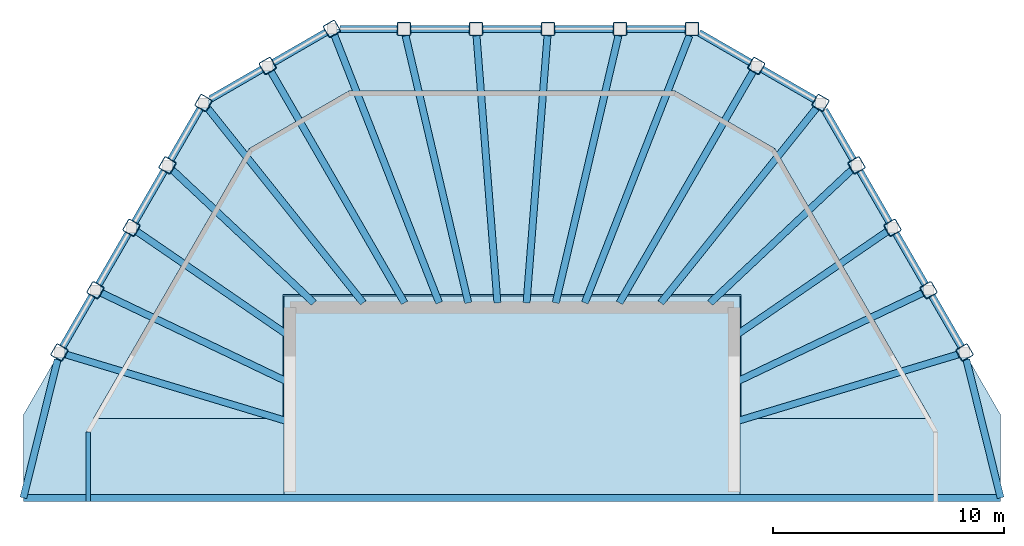
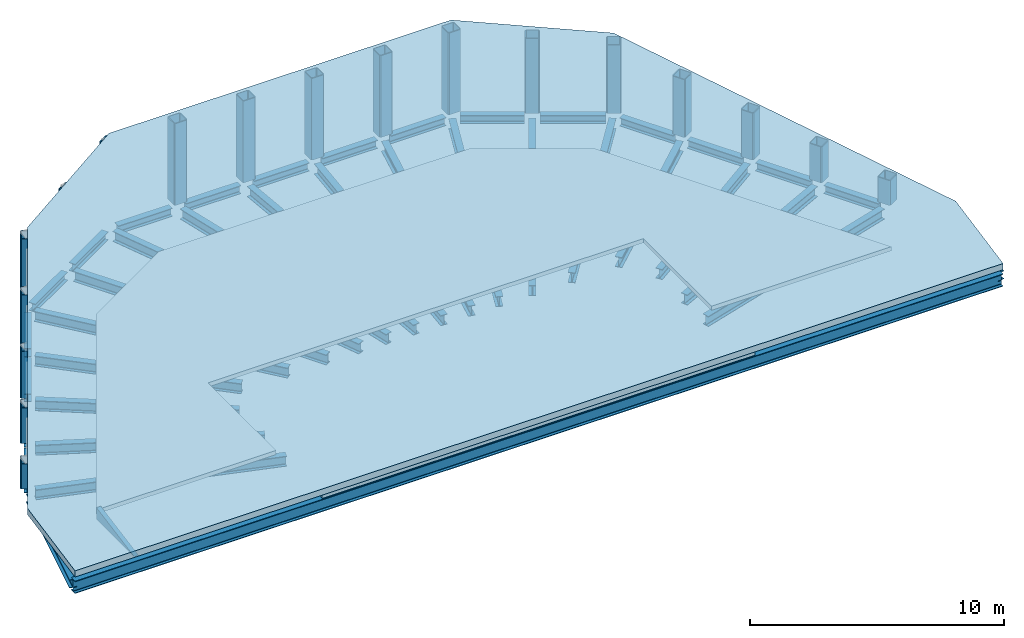
# One storey, part 1 of 3: 38 beams, 18 columns, 3 slabs, 1 wall.
"""IFC4 building model written with IfcOpenShell, lengths in metres."""

from ifc_helpers import new_model, si_unit, direction, frame, origin, origin_2d, place, context, subcontext, project, spatial, polyline, hollow_rectangle, i_section, outline, extrude, material, layer, layer_set, material_profile, profile_set, type_object, element, save


model = new_model("IFC4")

# Units and contexts
model_context = context("Model", 3, precision=1e-05, world=origin(), true_north=direction((0.0, 1.0)))
body_context = subcontext(model_context, "Body", "Model", "MODEL_VIEW")
ifc_project = project(units=[si_unit("LENGTHUNIT", "METRE"), si_unit("AREAUNIT", "SQUARE_METRE"), si_unit("VOLUMEUNIT", "CUBIC_METRE"), si_unit("PLANEANGLEUNIT", "RADIAN"), si_unit("MASSUNIT", "GRAM", prefix="KILO")], contexts=[model_context])

# Site, building, storey
site_placement = place(None, origin())
site = spatial("IfcSite", under=ifc_project, at=site_placement, CompositionType="ELEMENT")
building_placement = place(site_placement, origin())
building = spatial("IfcBuilding", under=site, at=building_placement, Name="Frailejon Research Tower", CompositionType="ELEMENT")
storey_placement = place(building_placement, frame((0.0, 0.0, 368.60009765625)))
storey = spatial("IfcBuildingStorey", under=building, at=storey_placement, Name="L83", CompositionType="ELEMENT", Elevation=368.60009765625)

# Columns
ifc_material_1 = material(Name="Steel S355", Category="steel")
ifc_material_profile_1 = material_profile(ifc_material_1, hollow_rectangle(XDim=0.60009765625, YDim=0.60009765625, WallThickness=0.0400390625, InnerFilletRadius=0.0400390625, OuterFilletRadius=0.080078125, at=origin_2d()), Name="Crown column")
ifc_profile_set_1 = profile_set([ifc_material_profile_1], Name="Steel S355")
column_type = type_object("IfcColumnType", Name="Crown column", PredefinedType="COLUMN", material=ifc_profile_set_1)
column_1_placement = place(storey_placement, frame((19.570068359375, 5.903564453125, 0.0), z_axis=(0.0, 0.0, 1.0), x_axis=(-0.5, 0.866025403784, 0.0)))
element("IfcColumn", 1, at=column_1_placement, inside=storey, type_object=column_type, Name="Column C04", PredefinedType="COLUMN", context=body_context, shape_type="SweptSolid", body=[
    extrude(hollow_rectangle(XDim=0.60009765625, YDim=0.60009765625, WallThickness=0.0400390625, InnerFilletRadius=0.0400390625, OuterFilletRadius=0.080078125, at=origin_2d()), origin(), (0.0, 0.0, 1.0), 1.20068359375),
])
column_2_placement = place(storey_placement, frame((18.0126953125, 8.601318359375, 0.0), z_axis=(0.0, 0.0, 1.0), x_axis=(-0.5, 0.866025403784, 0.0)))
element("IfcColumn", 2, at=column_2_placement, inside=storey, type_object=column_type, Name="Column C05", PredefinedType="COLUMN", context=body_context, shape_type="SweptSolid", body=[
    extrude(hollow_rectangle(XDim=0.60009765625, YDim=0.60009765625, WallThickness=0.0400390625, InnerFilletRadius=0.0400390625, OuterFilletRadius=0.080078125, at=origin_2d()), origin(), (0.0, 0.0, 1.0), 1.72900390625),
])
column_3_placement = place(storey_placement, frame((16.455078125, 11.298828125, 0.0), z_axis=(0.0, 0.0, 1.0), x_axis=(-0.5, 0.866025403784, 0.0)))
element("IfcColumn", 3, at=column_3_placement, inside=storey, type_object=column_type, Name="Column C06", PredefinedType="COLUMN", context=body_context, shape_type="SweptSolid", body=[
    extrude(hollow_rectangle(XDim=0.60009765625, YDim=0.60009765625, WallThickness=0.0400390625, InnerFilletRadius=0.0400390625, OuterFilletRadius=0.080078125, at=origin_2d()), origin(), (0.0, 0.0, 1.0), 2.257080078125),
])
column_4_placement = place(storey_placement, frame((14.897705078125, 13.996337890625, 0.0), z_axis=(0.0, 0.0, 1.0), x_axis=(-0.5, 0.866025403784, 0.0)))
element("IfcColumn", 4, at=column_4_placement, inside=storey, type_object=column_type, Name="Column C07", PredefinedType="COLUMN", context=body_context, shape_type="SweptSolid", body=[
    extrude(hollow_rectangle(XDim=0.60009765625, YDim=0.60009765625, WallThickness=0.0400390625, InnerFilletRadius=0.0400390625, OuterFilletRadius=0.080078125, at=origin_2d()), origin(), (0.0, 0.0, 1.0), 2.785400390625),
])
column_5_placement = place(storey_placement, frame((13.34033203125, 16.69384765625, 0.0), z_axis=(0.0, 0.0, 1.0), x_axis=(-0.866025403784, 0.5, 0.0)))
element("IfcColumn", 5, at=column_5_placement, inside=storey, type_object=column_type, Name="Column C08", PredefinedType="COLUMN", context=body_context, shape_type="SweptSolid", body=[
    extrude(hollow_rectangle(XDim=0.60009765625, YDim=0.60009765625, WallThickness=0.0400390625, InnerFilletRadius=0.0400390625, OuterFilletRadius=0.080078125, at=origin_2d()), origin(), (0.0, 0.0, 1.0), 3.3134765625),
])
column_6_placement = place(storey_placement, frame((10.563720703125, 18.297119140625, 0.0), z_axis=(0.0, 0.0, 1.0), x_axis=(-0.866025403784, 0.5, 0.0)))
element("IfcColumn", 6, at=column_6_placement, inside=storey, type_object=column_type, Name="Column C09", PredefinedType="COLUMN", context=body_context, shape_type="SweptSolid", body=[
    extrude(hollow_rectangle(XDim=0.60009765625, YDim=0.60009765625, WallThickness=0.0400390625, InnerFilletRadius=0.0400390625, OuterFilletRadius=0.080078125, at=origin_2d()), origin(), (0.0, 0.0, 1.0), 3.627197265625),
])
for number, where, z_axis, x_axis, name in (
    (7, (7.787109375, 19.89990234375, 0.0), (0.0, 0.0, 1.0), (-1.0, 0.0, 0.0), "Column C10"),
    (8, (4.67236328125, 19.89990234375, 0.0), (0.0, 0.0, 1.0), (-1.0, 0.0, 0.0), "Column C11"),
    (9, (1.557373046875, 19.89990234375, 0.0), (0.0, 0.0, 1.0), (-1.0, 0.0, 0.0), "Column C12"),
    (10, (-1.557373046875, 19.89990234375, 0.0), (0.0, 0.0, 1.0), (-1.0, 0.0, 0.0), "Column C13"),
    (11, (-4.67236328125, 19.89990234375, 0.0), (0.0, 0.0, 1.0), (-1.0, 0.0, 0.0), "Column C14"),
    (12, (-7.787109375, 19.89990234375, 0.0), (0.0, 0.0, 1.0), (-0.866025403784, -0.5, 0.0), "Column C15"),
):
    element("IfcColumn", number, at=place(storey_placement, frame(where, z_axis=z_axis, x_axis=x_axis)), inside=storey, type_object=column_type, Name=name, PredefinedType="COLUMN", context=body_context, shape_type="SweptSolid", body=[
        extrude(hollow_rectangle(XDim=0.60009765625, YDim=0.60009765625, WallThickness=0.0400390625, InnerFilletRadius=0.0400390625, OuterFilletRadius=0.080078125, at=origin_2d()), origin(), (0.0, 0.0, 1.0), 3.941162109375),
    ])
column_7_placement = place(storey_placement, frame((-10.563720703125, 18.297119140625, 0.0), z_axis=(0.0, 0.0, 1.0), x_axis=(-0.866025403784, -0.5, 0.0)))
element("IfcColumn", 13, at=column_7_placement, inside=storey, type_object=column_type, Name="Column C16", PredefinedType="COLUMN", context=body_context, shape_type="SweptSolid", body=[
    extrude(hollow_rectangle(XDim=0.60009765625, YDim=0.60009765625, WallThickness=0.0400390625, InnerFilletRadius=0.0400390625, OuterFilletRadius=0.080078125, at=origin_2d()), origin(), (0.0, 0.0, 1.0), 3.627197265625),
])
column_8_placement = place(storey_placement, frame((-13.34033203125, 16.69384765625, 0.0), z_axis=(0.0, 0.0, 1.0), x_axis=(-0.5, -0.866025403784, 0.0)))
element("IfcColumn", 14, at=column_8_placement, inside=storey, type_object=column_type, Name="Column C17", PredefinedType="COLUMN", context=body_context, shape_type="SweptSolid", body=[
    extrude(hollow_rectangle(XDim=0.60009765625, YDim=0.60009765625, WallThickness=0.0400390625, InnerFilletRadius=0.0400390625, OuterFilletRadius=0.080078125, at=origin_2d()), origin(), (0.0, 0.0, 1.0), 3.3134765625),
])
column_9_placement = place(storey_placement, frame((-14.897705078125, 13.996337890625, 0.0), z_axis=(0.0, 0.0, 1.0), x_axis=(-0.5, -0.866025403784, 0.0)))
element("IfcColumn", 15, at=column_9_placement, inside=storey, type_object=column_type, Name="Column C18", PredefinedType="COLUMN", context=body_context, shape_type="SweptSolid", body=[
    extrude(hollow_rectangle(XDim=0.60009765625, YDim=0.60009765625, WallThickness=0.0400390625, InnerFilletRadius=0.0400390625, OuterFilletRadius=0.080078125, at=origin_2d()), origin(), (0.0, 0.0, 1.0), 2.785400390625),
])
column_10_placement = place(storey_placement, frame((-16.455078125, 11.298828125, 0.0), z_axis=(0.0, 0.0, 1.0), x_axis=(-0.5, -0.866025403784, 0.0)))
element("IfcColumn", 16, at=column_10_placement, inside=storey, type_object=column_type, Name="Column C19", PredefinedType="COLUMN", context=body_context, shape_type="SweptSolid", body=[
    extrude(hollow_rectangle(XDim=0.60009765625, YDim=0.60009765625, WallThickness=0.0400390625, InnerFilletRadius=0.0400390625, OuterFilletRadius=0.080078125, at=origin_2d()), origin(), (0.0, 0.0, 1.0), 2.257080078125),
])
column_11_placement = place(storey_placement, frame((-18.0126953125, 8.601318359375, 0.0), z_axis=(0.0, 0.0, 1.0), x_axis=(-0.5, -0.866025403784, 0.0)))
element("IfcColumn", 17, at=column_11_placement, inside=storey, type_object=column_type, Name="Column C20", PredefinedType="COLUMN", context=body_context, shape_type="SweptSolid", body=[
    extrude(hollow_rectangle(XDim=0.60009765625, YDim=0.60009765625, WallThickness=0.0400390625, InnerFilletRadius=0.0400390625, OuterFilletRadius=0.080078125, at=origin_2d()), origin(), (0.0, 0.0, 1.0), 1.72900390625),
])
column_12_placement = place(storey_placement, frame((-19.570068359375, 5.903564453125, 0.0), z_axis=(0.0, 0.0, 1.0), x_axis=(-0.5, -0.866025403784, 0.0)))
element("IfcColumn", 18, at=column_12_placement, inside=storey, type_object=column_type, Name="Column C21", PredefinedType="COLUMN", context=body_context, shape_type="SweptSolid", body=[
    extrude(hollow_rectangle(XDim=0.60009765625, YDim=0.60009765625, WallThickness=0.0400390625, InnerFilletRadius=0.0400390625, OuterFilletRadius=0.080078125, at=origin_2d()), origin(), (0.0, 0.0, 1.0), 1.20068359375),
])

# Beams
ifc_material_2 = material(Name="Steel S355", Category="steel")
ifc_material_profile_2 = material_profile(ifc_material_2, i_section(OverallWidth=0.300048828125, OverallDepth=0.60009765625, WebThickness=0.015380859375, FlangeThickness=0.030029296875, FilletRadius=0.027099609375, at=origin_2d()), Name="HE 600 B")
ifc_profile_set_2 = profile_set([ifc_material_profile_2], Name="Steel S355")
beam_type_1 = type_object("IfcBeamType", Name="Crown chord beam", PredefinedType="BEAM", material=ifc_profile_set_2)
beam_1_placement = place(storey_placement, frame((21.12744140625, -0.380126953125, -0.5), z_axis=(-1.0, 0.0, 0.0), x_axis=(0.0, -1.0, 0.0)))
element("IfcBeam", 19, at=beam_1_placement, inside=storey, type_object=beam_type_1, Name="Crown chord beam", PredefinedType="BEAM", context=body_context, shape_type="SweptSolid", body=[
    extrude(i_section(OverallWidth=0.300048828125, OverallDepth=0.60009765625, WebThickness=0.015380859375, FlangeThickness=0.030029296875, FilletRadius=0.027099609375, at=origin_2d()), origin(), (0.0, 0.0, 1.0), 42.2548828125),
])
ifc_material_3 = material(Name="Steel S355", Category="steel")
ifc_material_profile_3 = material_profile(ifc_material_3, i_section(OverallWidth=0.300048828125, OverallDepth=0.5, WebThickness=0.014404296875, FlangeThickness=0.028076171875, FilletRadius=0.027099609375, at=origin_2d()), Name="HE 500 B")
ifc_profile_set_3 = profile_set([ifc_material_profile_3], Name="Steel S355")
beam_type_2 = type_object("IfcBeamType", Name="Crown girder", PredefinedType="BEAM", material=ifc_profile_set_3)
beam_2_placement = place(storey_placement, frame((19.275146484375, 5.814697265625, -0.4501953125), z_axis=(-0.957383273928, -0.288820475041, 0.0), x_axis=(0.288820475041, -0.957383273928, 0.0)))
element("IfcBeam", 20, at=beam_2_placement, inside=storey, type_object=beam_type_2, Name="Crown girder", PredefinedType="BEAM", context=body_context, shape_type="SweptSolid", body=[
    extrude(i_section(OverallWidth=0.300048828125, OverallDepth=0.5, WebThickness=0.014404296875, FlangeThickness=0.028076171875, FilletRadius=0.027099609375, at=origin_2d()), origin(), (0.0, 0.0, 1.0), 10.157958984375),
])
beam_3_placement = place(storey_placement, frame((17.7412109375, 8.471435546875, -0.4501953125), z_axis=(-0.902407599348, -0.430883423491, 0.0), x_axis=(0.430883423491, -0.902407599348, 0.0)))
element("IfcBeam", 21, at=beam_3_placement, inside=storey, type_object=beam_type_2, Name="Crown girder", PredefinedType="BEAM", context=body_context, shape_type="SweptSolid", body=[
    extrude(i_section(OverallWidth=0.300048828125, OverallDepth=0.5, WebThickness=0.014404296875, FlangeThickness=0.028076171875, FilletRadius=0.027099609375, at=origin_2d()), origin(), (0.0, 0.0, 1.0), 9.076904296875),
])
beam_4_placement = place(storey_placement, frame((16.20703125, 11.12841796875, -0.4501953125), z_axis=(-0.824367295754, -0.566055263814, 0.0), x_axis=(0.566055263814, -0.824367295754, 0.0)))
element("IfcBeam", 22, at=beam_4_placement, inside=storey, type_object=beam_type_2, Name="Crown girder", PredefinedType="BEAM", context=body_context, shape_type="SweptSolid", body=[
    extrude(i_section(OverallWidth=0.300048828125, OverallDepth=0.5, WebThickness=0.014404296875, FlangeThickness=0.028076171875, FilletRadius=0.027099609375, at=origin_2d()), origin(), (0.0, 0.0, 1.0), 8.0751953125),
])
beam_5_placement = place(storey_placement, frame((14.673095703125, 13.785400390625, -0.4501953125), z_axis=(-0.728812369992, -0.684713465141, 0.0), x_axis=(0.684713465141, -0.728812369992, 0.0)))
element("IfcBeam", 23, at=beam_5_placement, inside=storey, type_object=beam_type_2, Name="Crown girder", PredefinedType="BEAM", context=body_context, shape_type="SweptSolid", body=[
    extrude(i_section(OverallWidth=0.300048828125, OverallDepth=0.5, WebThickness=0.014404296875, FlangeThickness=0.028076171875, FilletRadius=0.027099609375, at=origin_2d()), origin(), (0.0, 0.0, 1.0), 8.376220703125),
])
beam_6_placement = place(storey_placement, frame((13.15087890625, 16.456787109375, -0.4501953125), z_axis=(-0.624277186009, -0.781202915399, 0.0), x_axis=(0.781202915399, -0.624277186009, 0.0)))
element("IfcBeam", 24, at=beam_6_placement, inside=storey, type_object=beam_type_2, Name="Crown girder", PredefinedType="BEAM", context=body_context, shape_type="SweptSolid", body=[
    extrude(i_section(OverallWidth=0.300048828125, OverallDepth=0.5, WebThickness=0.014404296875, FlangeThickness=0.028076171875, FilletRadius=0.027099609375, at=origin_2d()), origin(), (0.0, 0.0, 1.0), 10.76123046875),
])
beam_7_placement = place(storey_placement, frame((10.413818359375, 18.037109375, -0.4501953125), z_axis=(-0.500005279996, -0.866022355356, 0.0), x_axis=(0.866022355356, -0.500005279996, 0.0)))
element("IfcBeam", 25, at=beam_7_placement, inside=storey, type_object=beam_type_2, Name="Crown girder", PredefinedType="BEAM", context=body_context, shape_type="SweptSolid", body=[
    extrude(i_section(OverallWidth=0.300048828125, OverallDepth=0.5, WebThickness=0.014404296875, FlangeThickness=0.028076171875, FilletRadius=0.027099609375, at=origin_2d()), origin(), (0.0, 0.0, 1.0), 11.5322265625),
])
beam_8_placement = place(storey_placement, frame((7.669921875, 19.60009765625, -0.4501953125), z_axis=(-0.364412707951, -0.931237552015, 0.0), x_axis=(0.931237552015, -0.364412707951, 0.0)))
element("IfcBeam", 26, at=beam_8_placement, inside=storey, type_object=beam_type_2, Name="Crown girder", PredefinedType="BEAM", context=body_context, shape_type="SweptSolid", body=[
    extrude(i_section(OverallWidth=0.300048828125, OverallDepth=0.5, WebThickness=0.014404296875, FlangeThickness=0.028076171875, FilletRadius=0.027099609375, at=origin_2d()), origin(), (0.0, 0.0, 1.0), 12.40283203125),
])
beam_9_placement = place(storey_placement, frame((4.601806640625, 19.60009765625, -0.4501953125), z_axis=(-0.228561016932, -0.973529589452, 0.0), x_axis=(0.973529589452, -0.228561016932, 0.0)))
element("IfcBeam", 27, at=beam_9_placement, inside=storey, type_object=beam_type_2, Name="Crown girder", PredefinedType="BEAM", context=body_context, shape_type="SweptSolid", body=[
    extrude(i_section(OverallWidth=0.300048828125, OverallDepth=0.5, WebThickness=0.014404296875, FlangeThickness=0.028076171875, FilletRadius=0.027099609375, at=origin_2d()), origin(), (0.0, 0.0, 1.0), 11.864013671875),
])
for number, where, z_axis, x_axis, name in (
    (28, (1.533935546875, 19.60009765625, -0.4501953125), (-0.078033956508, -0.996950701706, 0.0), (0.996950701706, -0.078033956508, 0.0), "Crown girder"),
    (29, (-1.533935546875, 19.60009765625, -0.4501953125), (0.078033956508, -0.996950701706, 0.0), (0.996950701706, 0.078033956508, 0.0), "Crown girder"),
):
    element("IfcBeam", number, at=place(storey_placement, frame(where, z_axis=z_axis, x_axis=x_axis)), inside=storey, type_object=beam_type_2, Name=name, PredefinedType="BEAM", context=body_context, shape_type="SweptSolid", body=[
        extrude(i_section(OverallWidth=0.300048828125, OverallDepth=0.5, WebThickness=0.014404296875, FlangeThickness=0.028076171875, FilletRadius=0.027099609375, at=origin_2d()), origin(), (0.0, 0.0, 1.0), 11.58544921875),
    ])
beam_10_placement = place(storey_placement, frame((-4.601806640625, 19.60009765625, -0.4501953125), z_axis=(0.228561016932, -0.973529589452, 0.0), x_axis=(0.973529589452, 0.228561016932, 0.0)))
element("IfcBeam", 30, at=beam_10_placement, inside=storey, type_object=beam_type_2, Name="Crown girder", PredefinedType="BEAM", context=body_context, shape_type="SweptSolid", body=[
    extrude(i_section(OverallWidth=0.300048828125, OverallDepth=0.5, WebThickness=0.014404296875, FlangeThickness=0.028076171875, FilletRadius=0.027099609375, at=origin_2d()), origin(), (0.0, 0.0, 1.0), 11.864013671875),
])
beam_11_placement = place(storey_placement, frame((-7.676513671875, 19.617431640625, -0.4501953125), z_axis=(0.364399348581, -0.931242779706, 0.0), x_axis=(0.931242779706, 0.364399348581, 0.0)))
element("IfcBeam", 31, at=beam_11_placement, inside=storey, type_object=beam_type_2, Name="Crown girder", PredefinedType="BEAM", context=body_context, shape_type="SweptSolid", body=[
    extrude(i_section(OverallWidth=0.300048828125, OverallDepth=0.5, WebThickness=0.014404296875, FlangeThickness=0.028076171875, FilletRadius=0.027099609375, at=origin_2d()), origin(), (0.0, 0.0, 1.0), 12.42138671875),
])
beam_12_placement = place(storey_placement, frame((-10.413818359375, 18.037109375, -0.4501953125), z_axis=(0.500005279996, -0.866022355356, 0.0), x_axis=(0.866022355356, 0.500005279996, 0.0)))
element("IfcBeam", 32, at=beam_12_placement, inside=storey, type_object=beam_type_2, Name="Crown girder", PredefinedType="BEAM", context=body_context, shape_type="SweptSolid", body=[
    extrude(i_section(OverallWidth=0.300048828125, OverallDepth=0.5, WebThickness=0.014404296875, FlangeThickness=0.028076171875, FilletRadius=0.027099609375, at=origin_2d()), origin(), (0.0, 0.0, 1.0), 11.5322265625),
])
beam_13_placement = place(storey_placement, frame((-13.13916015625, 16.442138671875, -0.4501953125), z_axis=(0.624276456161, -0.781203498637, 0.0), x_axis=(0.781203498637, 0.624276456161, 0.0)))
element("IfcBeam", 33, at=beam_13_placement, inside=storey, type_object=beam_type_2, Name="Crown girder", PredefinedType="BEAM", context=body_context, shape_type="SweptSolid", body=[
    extrude(i_section(OverallWidth=0.300048828125, OverallDepth=0.5, WebThickness=0.014404296875, FlangeThickness=0.028076171875, FilletRadius=0.027099609375, at=origin_2d()), origin(), (0.0, 0.0, 1.0), 10.742431640625),
])
beam_14_placement = place(storey_placement, frame((-14.673095703125, 13.785400390625, -0.4501953125), z_axis=(0.728812369992, -0.684713465141, 0.0), x_axis=(0.684713465141, 0.728812369992, 0.0)))
element("IfcBeam", 34, at=beam_14_placement, inside=storey, type_object=beam_type_2, Name="Crown girder", PredefinedType="BEAM", context=body_context, shape_type="SweptSolid", body=[
    extrude(i_section(OverallWidth=0.300048828125, OverallDepth=0.5, WebThickness=0.014404296875, FlangeThickness=0.028076171875, FilletRadius=0.027099609375, at=origin_2d()), origin(), (0.0, 0.0, 1.0), 8.376220703125),
])
beam_15_placement = place(storey_placement, frame((-16.20703125, 11.12841796875, -0.4501953125), z_axis=(0.824367295754, -0.566055263814, 0.0), x_axis=(0.566055263814, 0.824367295754, 0.0)))
element("IfcBeam", 35, at=beam_15_placement, inside=storey, type_object=beam_type_2, Name="Crown girder", PredefinedType="BEAM", context=body_context, shape_type="SweptSolid", body=[
    extrude(i_section(OverallWidth=0.300048828125, OverallDepth=0.5, WebThickness=0.014404296875, FlangeThickness=0.028076171875, FilletRadius=0.027099609375, at=origin_2d()), origin(), (0.0, 0.0, 1.0), 8.0751953125),
])
beam_16_placement = place(storey_placement, frame((-17.7412109375, 8.471435546875, -0.4501953125), z_axis=(0.902407599348, -0.430883423491, 0.0), x_axis=(0.430883423491, 0.902407599348, 0.0)))
element("IfcBeam", 36, at=beam_16_placement, inside=storey, type_object=beam_type_2, Name="Crown girder", PredefinedType="BEAM", context=body_context, shape_type="SweptSolid", body=[
    extrude(i_section(OverallWidth=0.300048828125, OverallDepth=0.5, WebThickness=0.014404296875, FlangeThickness=0.028076171875, FilletRadius=0.027099609375, at=origin_2d()), origin(), (0.0, 0.0, 1.0), 9.076904296875),
])
beam_17_placement = place(storey_placement, frame((-19.275146484375, 5.814697265625, -0.4501953125), z_axis=(0.957383273928, -0.288820475041, 0.0), x_axis=(0.288820475041, 0.957383273928, 0.0)))
element("IfcBeam", 37, at=beam_17_placement, inside=storey, type_object=beam_type_2, Name="Crown girder", PredefinedType="BEAM", context=body_context, shape_type="SweptSolid", body=[
    extrude(i_section(OverallWidth=0.300048828125, OverallDepth=0.5, WebThickness=0.014404296875, FlangeThickness=0.028076171875, FilletRadius=0.027099609375, at=origin_2d()), origin(), (0.0, 0.0, 1.0), 10.157958984375),
])
ifc_material_4 = material(Name="Steel S355", Category="steel")
ifc_material_profile_4 = material_profile(ifc_material_4, i_section(OverallWidth=0.300048828125, OverallDepth=0.39990234375, WebThickness=0.013427734375, FlangeThickness=0.02392578125, FilletRadius=0.027099609375, at=origin_2d()), Name="HE 400 B")
ifc_profile_set_4 = profile_set([ifc_material_profile_4], Name="Steel S355")
beam_type_3 = type_object("IfcBeamType", Name="Crown ring beam", PredefinedType="BEAM", material=ifc_profile_set_4)
for number, where, z_axis, x_axis, name in (
    (38, (19.420166015625, 6.163330078125, -0.400146484375), (-0.500033362991, 0.866006140796, 0.0), (-0.866006140796, -0.500033362991, 0.0), "Crown ring beam"),
    (39, (17.862548828125, 8.861083984375, -0.400146484375), (-0.499960554673, 0.866048176357, 0.0), (-0.866048176357, -0.499960554673, 0.0), "Crown ring beam"),
    (40, (16.30517578125, 11.55859375, -0.400146484375), (-0.500033362991, 0.866006140796, 0.0), (-0.866006140796, -0.500033362991, 0.0), "Crown ring beam"),
):
    element("IfcBeam", number, at=place(storey_placement, frame(where, z_axis=z_axis, x_axis=x_axis)), inside=storey, type_object=beam_type_3, Name=name, PredefinedType="BEAM", context=body_context, shape_type="SweptSolid", body=[
        extrude(i_section(OverallWidth=0.300048828125, OverallDepth=0.39990234375, WebThickness=0.013427734375, FlangeThickness=0.02392578125, FilletRadius=0.027099609375, at=origin_2d()), origin(), (0.0, 0.0, 1.0), 2.514892578125),
    ])
beam_18_placement = place(storey_placement, frame((14.747802734375, 14.256103515625, -0.400146484375), z_axis=(-0.500053484023, 0.865994522568, 0.0), x_axis=(-0.865994522568, -0.500053484023, 0.0)))
element("IfcBeam", 41, at=beam_18_placement, inside=storey, type_object=beam_type_3, Name="Crown ring beam", PredefinedType="BEAM", context=body_context, shape_type="SweptSolid", body=[
    extrude(i_section(OverallWidth=0.300048828125, OverallDepth=0.39990234375, WebThickness=0.013427734375, FlangeThickness=0.02392578125, FilletRadius=0.027099609375, at=origin_2d()), origin(), (0.0, 0.0, 1.0), 2.468505859375),
])
beam_19_placement = place(storey_placement, frame((13.08056640625, 16.843994140625, -0.400146484375), z_axis=(-0.866049872286, 0.499957616916, 0.0), x_axis=(-0.499957616916, -0.866049872286, 0.0)))
element("IfcBeam", 42, at=beam_19_placement, inside=storey, type_object=beam_type_3, Name="Crown ring beam", PredefinedType="BEAM", context=body_context, shape_type="SweptSolid", body=[
    extrude(i_section(OverallWidth=0.300048828125, OverallDepth=0.39990234375, WebThickness=0.013427734375, FlangeThickness=0.02392578125, FilletRadius=0.027099609375, at=origin_2d()), origin(), (0.0, 0.0, 1.0), 2.606201171875),
])
beam_20_placement = place(storey_placement, frame((10.303955078125, 18.447021484375, -0.400146484375), z_axis=(-0.866039463868, 0.499975646431, 0.0), x_axis=(-0.499975646431, -0.866039463868, 0.0)))
element("IfcBeam", 43, at=beam_20_placement, inside=storey, type_object=beam_type_3, Name="Crown ring beam", PredefinedType="BEAM", context=body_context, shape_type="SweptSolid", body=[
    extrude(i_section(OverallWidth=0.300048828125, OverallDepth=0.39990234375, WebThickness=0.013427734375, FlangeThickness=0.02392578125, FilletRadius=0.027099609375, at=origin_2d()), origin(), (0.0, 0.0, 1.0), 2.559814453125),
])
for number, where, z_axis, x_axis, name in (
    (44, (7.4873046875, 19.89990234375, -0.400146484375), (-1.0, 0.0, 0.0), (0.0, -1.0, 0.0), "Crown ring beam"),
    (45, (4.372314453125, 19.89990234375, -0.400146484375), (-1.0, 0.0, 0.0), (0.0, -1.0, 0.0), "Crown ring beam"),
):
    element("IfcBeam", number, at=place(storey_placement, frame(where, z_axis=z_axis, x_axis=x_axis)), inside=storey, type_object=beam_type_3, Name=name, PredefinedType="BEAM", context=body_context, shape_type="SweptSolid", body=[
        extrude(i_section(OverallWidth=0.300048828125, OverallDepth=0.39990234375, WebThickness=0.013427734375, FlangeThickness=0.02392578125, FilletRadius=0.027099609375, at=origin_2d()), origin(), (0.0, 0.0, 1.0), 2.514892578125),
    ])
beam_21_placement = place(storey_placement, frame((1.25732421875, 19.89990234375, -0.400146484375), z_axis=(-1.0, 0.0, 0.0), x_axis=(0.0, -1.0, 0.0)))
element("IfcBeam", 46, at=beam_21_placement, inside=storey, type_object=beam_type_3, Name="Crown ring beam", PredefinedType="BEAM", context=body_context, shape_type="SweptSolid", body=[
    extrude(i_section(OverallWidth=0.300048828125, OverallDepth=0.39990234375, WebThickness=0.013427734375, FlangeThickness=0.02392578125, FilletRadius=0.027099609375, at=origin_2d()), origin(), (0.0, 0.0, 1.0), 2.5146484375),
])
beam_22_placement = place(storey_placement, frame((-1.857421875, 19.89990234375, -0.400146484375), z_axis=(-1.0, 0.0, 0.0), x_axis=(0.0, -1.0, 0.0)))
element("IfcBeam", 47, at=beam_22_placement, inside=storey, type_object=beam_type_3, Name="Crown ring beam", PredefinedType="BEAM", context=body_context, shape_type="SweptSolid", body=[
    extrude(i_section(OverallWidth=0.300048828125, OverallDepth=0.39990234375, WebThickness=0.013427734375, FlangeThickness=0.02392578125, FilletRadius=0.027099609375, at=origin_2d()), origin(), (0.0, 0.0, 1.0), 2.514892578125),
])
beam_23_placement = place(storey_placement, frame((-4.972412109375, 19.89990234375, -0.400146484375), z_axis=(-1.0, 0.0, 0.0), x_axis=(0.0, -1.0, 0.0)))
element("IfcBeam", 48, at=beam_23_placement, inside=storey, type_object=beam_type_3, Name="Crown ring beam", PredefinedType="BEAM", context=body_context, shape_type="SweptSolid", body=[
    extrude(i_section(OverallWidth=0.300048828125, OverallDepth=0.39990234375, WebThickness=0.013427734375, FlangeThickness=0.02392578125, FilletRadius=0.027099609375, at=origin_2d()), origin(), (0.0, 0.0, 1.0), 2.468505859375),
])
beam_24_placement = place(storey_placement, frame((-8.047119140625, 19.75, -0.400146484375), z_axis=(-0.866026453994, -0.499998180979, 0.0), x_axis=(0.499998180979, -0.866026453994, 0.0)))
element("IfcBeam", 49, at=beam_24_placement, inside=storey, type_object=beam_type_3, Name="Crown ring beam", PredefinedType="BEAM", context=body_context, shape_type="SweptSolid", body=[
    extrude(i_section(OverallWidth=0.300048828125, OverallDepth=0.39990234375, WebThickness=0.013427734375, FlangeThickness=0.02392578125, FilletRadius=0.027099609375, at=origin_2d()), origin(), (0.0, 0.0, 1.0), 2.60595703125),
])
beam_25_placement = place(storey_placement, frame((-10.823486328125, 18.14697265625, -0.400146484375), z_axis=(-0.866039463868, -0.499975646431, 0.0), x_axis=(0.499975646431, -0.866039463868, 0.0)))
element("IfcBeam", 50, at=beam_25_placement, inside=storey, type_object=beam_type_3, Name="Crown ring beam", PredefinedType="BEAM", context=body_context, shape_type="SweptSolid", body=[
    extrude(i_section(OverallWidth=0.300048828125, OverallDepth=0.39990234375, WebThickness=0.013427734375, FlangeThickness=0.02392578125, FilletRadius=0.027099609375, at=origin_2d()), origin(), (0.0, 0.0, 1.0), 2.559814453125),
])
for number, where, z_axis, x_axis, name in (
    (51, (-13.490234375, 16.43408203125, -0.400146484375), (-0.500033362991, -0.866006140796, 0.0), (0.866006140796, -0.500033362991, 0.0), "Crown ring beam"),
    (52, (-15.047607421875, 13.736572265625, -0.400146484375), (-0.500033362991, -0.866006140796, 0.0), (0.866006140796, -0.500033362991, 0.0), "Crown ring beam"),
    (53, (-16.605224609375, 11.0390625, -0.400146484375), (-0.499960554673, -0.866048176357, 0.0), (0.866048176357, -0.499960554673, 0.0), "Crown ring beam"),
    (54, (-18.16259765625, 8.34130859375, -0.400146484375), (-0.500033362991, -0.866006140796, 0.0), (0.866006140796, -0.500033362991, 0.0), "Crown ring beam"),
):
    element("IfcBeam", number, at=place(storey_placement, frame(where, z_axis=z_axis, x_axis=x_axis)), inside=storey, type_object=beam_type_3, Name=name, PredefinedType="BEAM", context=body_context, shape_type="SweptSolid", body=[
        extrude(i_section(OverallWidth=0.300048828125, OverallDepth=0.39990234375, WebThickness=0.013427734375, FlangeThickness=0.02392578125, FilletRadius=0.027099609375, at=origin_2d()), origin(), (0.0, 0.0, 1.0), 2.514892578125),
    ])
for number, where, z_axis, x_axis, name in (
    (55, (21.12744140625, -0.380126953125, -0.400146484375), (-0.240549321195, 0.970636916706, 0.0), (-0.970636916706, -0.240549321195, 0.0), "Crown ring beam"),
    (56, (-21.12744140625, -0.380126953125, -0.400146484375), (0.240549321195, 0.970636916706, 0.0), (-0.970636916706, 0.240549321195, 0.0), "Crown ring beam"),
):
    element("IfcBeam", number, at=place(storey_placement, frame(where, z_axis=z_axis, x_axis=x_axis)), inside=storey, type_object=beam_type_3, Name=name, PredefinedType="BEAM", context=body_context, shape_type="SweptSolid", body=[
        extrude(i_section(OverallWidth=0.300048828125, OverallDepth=0.39990234375, WebThickness=0.013427734375, FlangeThickness=0.02392578125, FilletRadius=0.027099609375, at=origin_2d()), origin(), (0.0, 0.0, 1.0), 6.16162109375),
    ])

# Slabs
ifc_material_5 = material(Name="Concrete C50/60", Category="concrete")
ifc_layer_1 = layer(ifc_material_5, 0.199951171875)
ifc_layer_set_1 = layer_set([ifc_layer_1], Name="Core roof slab 200 C50/60")
slab_type_1 = type_object("IfcSlabType", Name="Core roof slab 200 C50/60", PredefinedType="ROOF", material=ifc_layer_set_1)
slab_1_placement = place(storey_placement, frame((0.0, 0.0, -0.2001953125)))
element("IfcSlab", 57, at=slab_1_placement, inside=storey, type_object=slab_type_1, Name="Core floor slab", PredefinedType="ROOF", context=body_context, shape_type="SweptSolid", body=[
    extrude(outline(polyline([(-9.85009765625, 8.35009765625), (9.85009765625, 8.35009765625), (9.85009765625, -0.480224609375), (-9.85009765625, -0.480224609375), (-9.85009765625, 8.35009765625)])), origin(), (0.0, 0.0, 1.0), 0.2001953125),
])
ifc_material_6 = material(Name="Safety glass roof panel on steel frame", Category="steel")
ifc_layer_2 = layer(ifc_material_6, 0.300048828125)
ifc_layer_set_2 = layer_set([ifc_layer_2], Name="Crown glazed roof facet 300")
slab_type_2 = type_object("IfcSlabType", Name="Crown glazed roof facet 300", PredefinedType="ROOF", material=ifc_layer_set_2)
slab_2_placement = place(storey_placement, frame((-21.12744140625, 3.2060546875, 0.7314453125), z_axis=(0.0, -0.192140284399, 0.981367469968), x_axis=(0.492959869432, 0.853840777594, 0.167172048044)))
element("IfcSlab", 58, at=slab_2_placement, inside=storey, type_object=slab_type_2, Name="Crown glazed roof facet 7", PredefinedType="ROOF", context=body_context, shape_type="SweptSolid", body=[
    extrude(outline(polyline([(0.0, 0.0), (15.796639560071833, -3.885780586188048e-16), (21.376547181406938, -3.2211315731841204), (29.05401202291493, -16.7715125006806), (28.94913623268532, -23.2135664233842), (20.82996151412148, -36.76394735088068), (17.517454991602623, -38.640769301494515), (-3.3125065225188557, -1.8768219506138335), (0.0, 0.0)])), origin(), (0.167172048044, 0.09471744951, 0.981367469968), 0.300048828125),
])
ifc_material_7 = material(Name="Concrete C30/37", Category="concrete")
ifc_layer_3 = layer(ifc_material_7, 0.199951171875)
ifc_layer_set_3 = layer_set([ifc_layer_3], Name="Crown roof deck 200")
slab_type_3 = type_object("IfcSlabType", Name="Crown roof deck 200", PredefinedType="ROOF", material=ifc_layer_set_3)
slab_3_placement = place(storey_placement, frame((0.0, 0.0, -0.2001953125)))
element("IfcSlab", 59, at=slab_3_placement, inside=storey, type_object=slab_type_3, Name="Roof deck L83", PredefinedType="ROOF", context=body_context, shape_type="SweptSolid", body=[
    extrude(outline(polyline([(-7.063720703125, 17.199951171875), (-11.36376953125, 14.71728515625), (-18.102783203125, 3.045166015625), (-9.909912109375, 3.045166015625), (-9.909912109375, 8.409912109375), (9.909912109375, 8.409912109375), (9.909912109375, 3.045166015625), (18.102783203125, 3.045166015625), (11.36376953125, 14.71728515625), (7.063720703125, 17.199951171875), (-7.063720703125, 17.199951171875)])), origin(), (0.0, 0.0, 1.0), 0.2001953125),
])

# Wall
ifc_material_8 = material(Name="Aluminium louvre cladding panel", Category="aluminium")
ifc_layer_4 = layer(ifc_material_8, 0.199951171875)
ifc_layer_set_4 = layer_set([ifc_layer_4], Name="Crown louvred wall 200")
wall_type = type_object("IfcWallType", Name="Crown louvred wall 200", PredefinedType="SOLIDWALL", material=ifc_layer_set_4)
wall_placement = place(storey_placement, frame((-18.327392578125, 2.455810546875, 0.02978515625), z_axis=(0.0, 0.0, 1.0), x_axis=(0.0, -1.0, 0.0)))
element("IfcWall", 60, at=wall_placement, inside=storey, type_object=wall_type, Name="Crown louvred wall L83", PredefinedType="SOLIDWALL", context=body_context, shape_type="SweptSolid", body=[
    extrude(outline(polyline([(0.0, 0.0), (2.986083984375, 0.0), (2.986083984375, 0.0), (0.0, 0.5546875), (0.0, 0.0)])), frame((0.0, 0.10009765625, 0.0), z_axis=(0.0, -1.0, 0.0), x_axis=(1.0, 0.0, 0.0)), (0.0, 0.0, 1.0), 0.199951171875),
])

save(model, "model.ifc")
